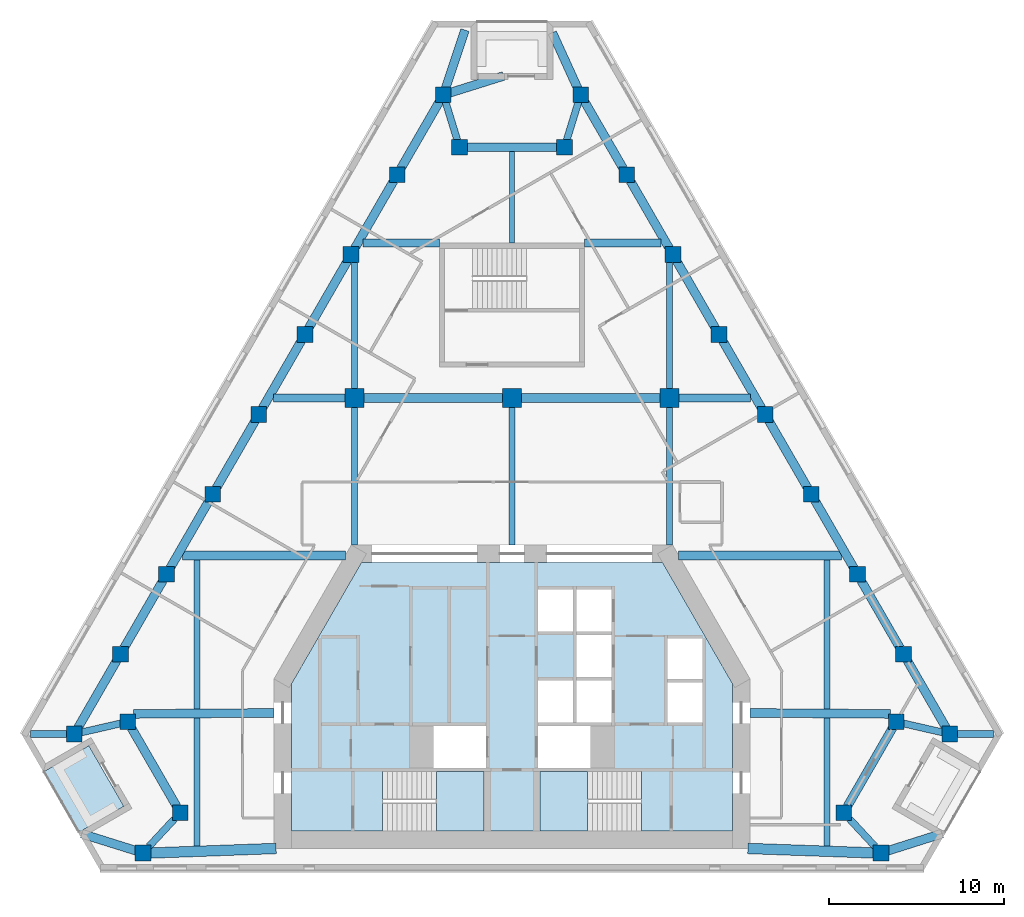
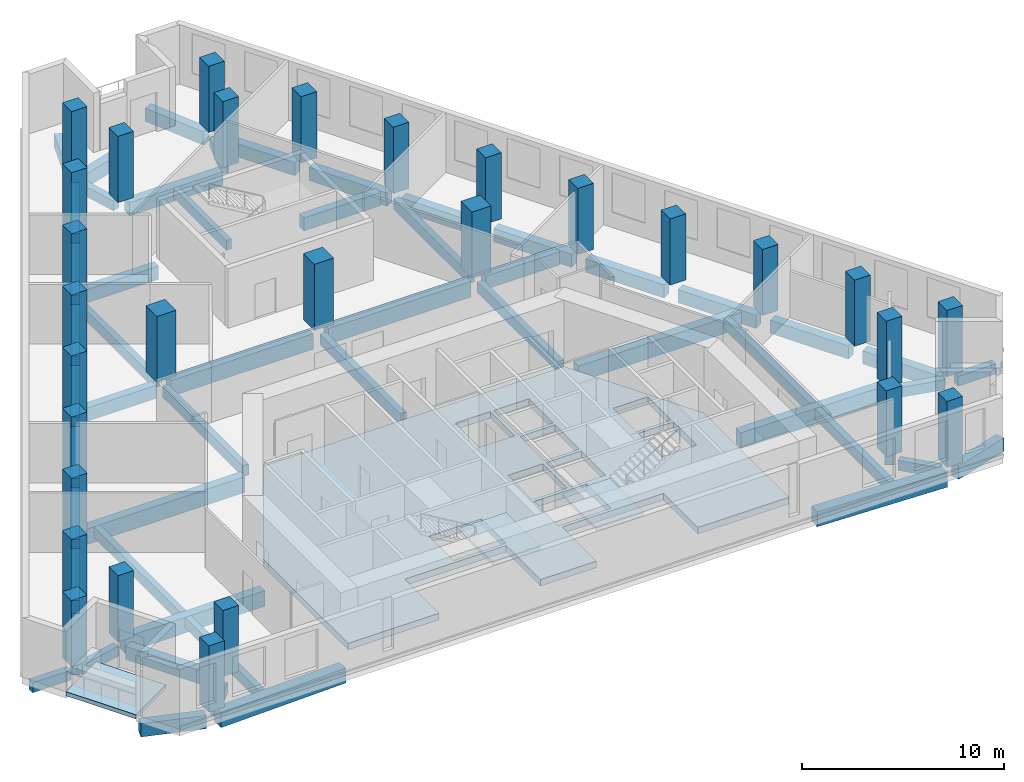
# One storey, part 1 of 9: 54 beams, 29 columns, 4 slabs, 2 elements without a shape of their own.
"""IFC4 building model written with IfcOpenShell, lengths in metres."""

from ifc_helpers import new_model, si_unit, direction, frame, origin, origin_2d, place, context, subcontext, project, spatial, polyline, rectangle, outline, extrude, material, layer, layer_set, material_profile, profile_set, type_object, element, aggregate, save


model = new_model("IFC4")

# Units and contexts
model_context = context("Model", 3, precision=1e-05, world=origin(), true_north=direction((0.0, 1.0)))
body_context = subcontext(model_context, "Body", "Model", "MODEL_VIEW")
ifc_project = project(units=[si_unit("LENGTHUNIT", "METRE"), si_unit("AREAUNIT", "SQUARE_METRE"), si_unit("VOLUMEUNIT", "CUBIC_METRE"), si_unit("PLANEANGLEUNIT", "RADIAN"), si_unit("MASSUNIT", "GRAM", prefix="KILO")], contexts=[model_context])

# Site, building, storey
site_placement = place(None, origin())
site = spatial("IfcSite", under=ifc_project, at=site_placement, CompositionType="ELEMENT")
building_placement = place(site_placement, origin())
building = spatial("IfcBuilding", under=site, at=building_placement, Name="Fogline Exchange Tower", CompositionType="ELEMENT")
storey_placement = place(building_placement, frame((0.0, 0.0, 186.10009765625)))
storey = spatial("IfcBuildingStorey", under=building, at=storey_placement, Name="L41", CompositionType="ELEMENT", Elevation=186.10009765625)

# Columns
ifc_material_1 = material(Name="Concrete C60", Category="concrete")
ifc_material_profile_1 = material_profile(ifc_material_1, rectangle(XDim=1.10009765625, YDim=1.10009765625, at=origin_2d()), Name="RC 1100x1100")
ifc_profile_set_1 = profile_set([ifc_material_profile_1], Name="Concrete C60")
column_type_1 = type_object("IfcColumnType", Name="C05", PredefinedType="COLUMN", material=ifc_profile_set_1)
for number, where, z_axis, x_axis, name in (
    (1, (-9.0, 27.0, 0.0), (0.0, 0.0, 1.0), (1.0, 0.0, 0.0), "IC--9-27"),
    (2, (0.0, 27.0, 0.0), (0.0, 0.0, 1.0), (1.0, 0.0, 0.0), "IC-0-27"),
    (3, (9.0, 27.0, 0.0), (0.0, 0.0, 1.0), (1.0, 0.0, 0.0), "IC-9-27"),
):
    element("IfcColumn", number, at=place(storey_placement, frame(where, z_axis=z_axis, x_axis=x_axis)), inside=storey, type_object=column_type_1, Name=name, PredefinedType="COLUMN", context=body_context, shape_type="SweptSolid", body=[
        extrude(rectangle(XDim=1.10009765625, YDim=1.10009765625, at=origin_2d()), origin(), (0.0, 0.0, 1.0), 4.0),
    ])
ifc_material_profile_2 = material_profile(ifc_material_1, rectangle(XDim=0.89990234375, YDim=0.89990234375, at=origin_2d()), Name="RC 900x900")
ifc_profile_set_2 = profile_set([ifc_material_profile_2], Name="Concrete C60")
column_type_2 = type_object("IfcColumnType", Name="C06", PredefinedType="COLUMN", material=ifc_profile_set_2)
for number, where, z_axis, x_axis, name in (
    (4, (-25.0146484375, 7.794189453125, 0.0), (0.0, 0.0, 1.0), (1.0, 0.0, 0.0), "SW-a"),
    (5, (-21.955322265625, 8.4951171875, 0.0), (0.0, 0.0, 1.0), (1.0, 0.0, 0.0), "SW-p4"),
    (6, (-18.955322265625, 3.299072265625, 0.0), (0.0, 0.0, 1.0), (1.0, 0.0, 0.0), "SW-p3"),
    (7, (-21.092041015625, 1.0, 0.0), (0.0, 0.0, 1.0), (1.0, 0.0, 0.0), "SW-b"),
    (8, (21.092041015625, 1.0, 0.0), (0.0, 0.0, 1.0), (1.0, 0.0, 0.0), "SE-a"),
    (9, (18.955322265625, 3.299072265625, 0.0), (0.0, 0.0, 1.0), (1.0, 0.0, 0.0), "SE-p4"),
    (10, (21.955322265625, 8.4951171875, 0.0), (0.0, 0.0, 1.0), (1.0, 0.0, 0.0), "SE-p3"),
    (11, (25.0146484375, 7.794189453125, 0.0), (0.0, 0.0, 1.0), (1.0, 0.0, 0.0), "SE-b"),
    (12, (22.378173828125, 12.36083984375, 0.0), (0.0, 0.0, 1.0), (1.0, 0.0, 0.0), "E1"),
    (13, (19.74169921875, 16.92724609375, 0.0), (0.0, 0.0, 1.0), (1.0, 0.0, 0.0), "E2"),
    (14, (17.105224609375, 21.493896484375, 0.0), (0.0, 0.0, 1.0), (1.0, 0.0, 0.0), "E3"),
    (15, (14.46875, 26.060302734375, 0.0), (0.0, 0.0, 1.0), (1.0, 0.0, 0.0), "E4"),
    (16, (11.832275390625, 30.626953125, 0.0), (0.0, 0.0, 1.0), (1.0, 0.0, 0.0), "E5"),
    (17, (9.19580078125, 35.193603515625, 0.0), (0.0, 0.0, 1.0), (1.0, 0.0, 0.0), "E6"),
    (18, (6.55908203125, 39.760009765625, 0.0), (0.0, 0.0, 1.0), (1.0, 0.0, 0.0), "E7"),
    (19, (3.922607421875, 44.32666015625, 0.0), (0.0, 0.0, 1.0), (1.0, 0.0, 0.0), "N-a"),
    (20, (3.0, 41.32666015625, 0.0), (0.0, 0.0, 1.0), (1.0, 0.0, 0.0), "N-p4"),
    (21, (-3.0, 41.32666015625, 0.0), (0.0, 0.0, 1.0), (1.0, 0.0, 0.0), "N-p3"),
    (22, (-3.922607421875, 44.32666015625, 0.0), (0.0, 0.0, 1.0), (1.0, 0.0, 0.0), "N-b"),
    (23, (-6.55908203125, 39.760009765625, 0.0), (0.0, 0.0, 1.0), (1.0, 0.0, 0.0), "W1"),
    (24, (-9.19580078125, 35.193603515625, 0.0), (0.0, 0.0, 1.0), (1.0, 0.0, 0.0), "W2"),
    (25, (-11.832275390625, 30.626953125, 0.0), (0.0, 0.0, 1.0), (1.0, 0.0, 0.0), "W3"),
    (26, (-14.46875, 26.060302734375, 0.0), (0.0, 0.0, 1.0), (1.0, 0.0, 0.0), "W4"),
    (27, (-17.105224609375, 21.493896484375, 0.0), (0.0, 0.0, 1.0), (1.0, 0.0, 0.0), "W5"),
    (28, (-19.74169921875, 16.92724609375, 0.0), (0.0, 0.0, 1.0), (1.0, 0.0, 0.0), "W6"),
    (29, (-22.378173828125, 12.36083984375, 0.0), (0.0, 0.0, 1.0), (1.0, 0.0, 0.0), "W7"),
):
    element("IfcColumn", number, at=place(storey_placement, frame(where, z_axis=z_axis, x_axis=x_axis)), inside=storey, type_object=column_type_2, Name=name, PredefinedType="COLUMN", context=body_context, shape_type="SweptSolid", body=[
        extrude(rectangle(XDim=0.89990234375, YDim=0.89990234375, at=origin_2d()), origin(), (0.0, 0.0, 1.0), 4.0),
    ])

# Beams
ifc_material_2 = material(Name="Concrete C40", Category="concrete")
ifc_material_profile_3 = material_profile(ifc_material_2, rectangle(XDim=0.300048828125, YDim=0.60009765625, at=origin_2d()), Name="RC 300x600")
ifc_profile_set_3 = profile_set([ifc_material_profile_3], Name="Concrete C40")
beam_type_1 = type_object("IfcBeamType", Name="B06", PredefinedType="BEAM", material=ifc_profile_set_3)
beam_1_placement = place(storey_placement, frame((0.0, 35.85693359375, -0.7001953125), z_axis=(0.0, 1.0, 0.0), x_axis=(-1.0, 0.0, 0.0)))
element("IfcBeam", 30, at=beam_1_placement, inside=storey, type_object=beam_type_1, Name="SB006", PredefinedType="BEAM", context=body_context, shape_type="SweptSolid", body=[
    extrude(rectangle(XDim=0.300048828125, YDim=0.60009765625, at=origin_2d()), origin(), (0.0, 0.0, 1.0), 5.2197265625),
])
ifc_material_profile_4 = material_profile(ifc_material_2, rectangle(XDim=0.60009765625, YDim=0.89990234375, at=origin_2d()), Name="RC 600x900")
ifc_profile_set_4 = profile_set([ifc_material_profile_4], Name="Concrete C40")
beam_type_2 = type_object("IfcBeamType", Name="B09", PredefinedType="BEAM", material=ifc_profile_set_4)
beam_2_placement = place(storey_placement, frame((-20.761962890625, 0.990234375, -0.85009765625), z_axis=(0.999342679757, 0.036252012589, 0.0), x_axis=(-0.036252012589, 0.999342679757, 0.0)))
element("IfcBeam", 31, at=beam_2_placement, inside=storey, type_object=beam_type_2, Name="RB004", PredefinedType="BEAM", context=body_context, shape_type="SweptSolid", body=[
    extrude(rectangle(XDim=0.60009765625, YDim=0.89990234375, at=origin_2d()), origin(), (0.0, 0.0, 1.0), 7.286865234375),
])
beam_3_placement = place(storey_placement, frame((13.47998046875, 1.25439453125, -0.85009765625), z_axis=(0.999369113188, -0.035515850068, 0.0), x_axis=(0.035515850068, 0.999369113188, 0.0)))
element("IfcBeam", 32, at=beam_3_placement, inside=storey, type_object=beam_type_2, Name="RB005", PredefinedType="BEAM", context=body_context, shape_type="SweptSolid", body=[
    extrude(rectangle(XDim=0.60009765625, YDim=0.89990234375, at=origin_2d()), origin(), (0.0, 0.0, 1.0), 7.28662109375),
])
ifc_material_profile_5 = material_profile(ifc_material_2, rectangle(XDim=0.5, YDim=0.800048828125, at=origin_2d()), Name="RC 500x800")
ifc_profile_set_5 = profile_set([ifc_material_profile_5], Name="Concrete C40")
beam_type_3 = type_object("IfcBeamType", Name="B10", PredefinedType="BEAM", material=ifc_profile_set_5)
for number, where, z_axis, x_axis, name in (
    (33, (-21.75537109375, 8.149169921875, -0.800048828125), (0.499981160238, -0.866036280653, 0.0), (0.866036280653, 0.499981160238, 0.0), "RB002"),
    (34, (19.155029296875, 3.64501953125, -0.800048828125), (0.499981160238, 0.866036280653, 0.0), (-0.866036280653, 0.499981160238, 0.0), "RB007"),
):
    element("IfcBeam", number, at=place(storey_placement, frame(where, z_axis=z_axis, x_axis=x_axis)), inside=storey, type_object=beam_type_3, Name=name, PredefinedType="BEAM", context=body_context, shape_type="SweptSolid", body=[
        extrude(rectangle(XDim=0.5, YDim=0.800048828125, at=origin_2d()), origin(), (0.0, 0.0, 1.0), 5.200927734375),
    ])
beam_4_placement = place(storey_placement, frame((24.814697265625, 8.140380859375, -0.800048828125), z_axis=(-0.500001169707, 0.866024728453, 0.0), x_axis=(-0.866024728453, -0.500001169707, 0.0)))
element("IfcBeam", 35, at=beam_4_placement, inside=storey, type_object=beam_type_3, Name="RB009", PredefinedType="BEAM", context=body_context, shape_type="SweptSolid", body=[
    extrude(rectangle(XDim=0.5, YDim=0.800048828125, at=origin_2d()), origin(), (0.0, 0.0, 1.0), 4.4736328125),
])
beam_5_placement = place(storey_placement, frame((22.17822265625, 12.706787109375, -0.800048828125), z_axis=(-0.499977539641, 0.866038370891, 0.0), x_axis=(-0.866038370891, -0.499977539641, 0.0)))
element("IfcBeam", 36, at=beam_5_placement, inside=storey, type_object=beam_type_3, Name="RB010", PredefinedType="BEAM", context=body_context, shape_type="SweptSolid", body=[
    extrude(rectangle(XDim=0.5, YDim=0.800048828125, at=origin_2d()), origin(), (0.0, 0.0, 1.0), 4.473876953125),
])
for number, where, z_axis, x_axis, name in (
    (37, (19.541748046875, 17.2734375, -0.800048828125), (-0.500001169707, 0.866024728453, 0.0), (-0.866024728453, -0.500001169707, 0.0), "RB011"),
    (38, (16.9052734375, 21.840087890625, -0.800048828125), (-0.500001169707, 0.866024728453, 0.0), (-0.866024728453, -0.500001169707, 0.0), "RB012"),
):
    element("IfcBeam", number, at=place(storey_placement, frame(where, z_axis=z_axis, x_axis=x_axis)), inside=storey, type_object=beam_type_3, Name=name, PredefinedType="BEAM", context=body_context, shape_type="SweptSolid", body=[
        extrude(rectangle(XDim=0.5, YDim=0.800048828125, at=origin_2d()), origin(), (0.0, 0.0, 1.0), 4.4736328125),
    ])
beam_6_placement = place(storey_placement, frame((14.268798828125, 26.406494140625, -0.800048828125), z_axis=(-0.499977539641, 0.866038370891, 0.0), x_axis=(-0.866038370891, -0.499977539641, 0.0)))
element("IfcBeam", 39, at=beam_6_placement, inside=storey, type_object=beam_type_3, Name="RB013", PredefinedType="BEAM", context=body_context, shape_type="SweptSolid", body=[
    extrude(rectangle(XDim=0.5, YDim=0.800048828125, at=origin_2d()), origin(), (0.0, 0.0, 1.0), 4.473876953125),
])
beam_7_placement = place(storey_placement, frame((11.63232421875, 30.97314453125, -0.800048828125), z_axis=(-0.500001169707, 0.866024728453, 0.0), x_axis=(-0.866024728453, -0.500001169707, 0.0)))
element("IfcBeam", 40, at=beam_7_placement, inside=storey, type_object=beam_type_3, Name="RB014", PredefinedType="BEAM", context=body_context, shape_type="SweptSolid", body=[
    extrude(rectangle(XDim=0.5, YDim=0.800048828125, at=origin_2d()), origin(), (0.0, 0.0, 1.0), 4.4736328125),
])
for number, where, z_axis, x_axis, name in (
    (41, (8.995849609375, 35.53955078125, -0.800048828125), (-0.499977539641, 0.866038370891, 0.0), (-0.866038370891, -0.499977539641, 0.0), "RB015"),
    (42, (6.359375, 40.106201171875, -0.800048828125), (-0.499977539641, 0.866038370891, 0.0), (-0.866038370891, -0.499977539641, 0.0), "RB016"),
):
    element("IfcBeam", number, at=place(storey_placement, frame(where, z_axis=z_axis, x_axis=x_axis)), inside=storey, type_object=beam_type_3, Name=name, PredefinedType="BEAM", context=body_context, shape_type="SweptSolid", body=[
        extrude(rectangle(XDim=0.5, YDim=0.800048828125, at=origin_2d()), origin(), (0.0, 0.0, 1.0), 4.473876953125),
    ])
beam_8_placement = place(storey_placement, frame((2.669921875, 41.32666015625, -0.800048828125), z_axis=(-1.0, 0.0, 0.0), x_axis=(0.0, -1.0, 0.0)))
element("IfcBeam", 43, at=beam_8_placement, inside=storey, type_object=beam_type_3, Name="RB018", PredefinedType="BEAM", context=body_context, shape_type="SweptSolid", body=[
    extrude(rectangle(XDim=0.5, YDim=0.800048828125, at=origin_2d()), origin(), (0.0, 0.0, 1.0), 5.33984375),
])
for number, where, z_axis, x_axis, name in (
    (44, (-4.12255859375, 43.980712890625, -0.800048828125), (-0.499977539641, -0.866038370891, 0.0), (0.866038370891, -0.499977539641, 0.0), "RB020"),
    (45, (-6.759033203125, 39.4140625, -0.800048828125), (-0.499977539641, -0.866038370891, 0.0), (0.866038370891, -0.499977539641, 0.0), "RB021"),
):
    element("IfcBeam", number, at=place(storey_placement, frame(where, z_axis=z_axis, x_axis=x_axis)), inside=storey, type_object=beam_type_3, Name=name, PredefinedType="BEAM", context=body_context, shape_type="SweptSolid", body=[
        extrude(rectangle(XDim=0.5, YDim=0.800048828125, at=origin_2d()), origin(), (0.0, 0.0, 1.0), 4.473876953125),
    ])
beam_9_placement = place(storey_placement, frame((-9.3955078125, 34.847412109375, -0.800048828125), z_axis=(-0.500001169707, -0.866024728453, 0.0), x_axis=(0.866024728453, -0.500001169707, 0.0)))
element("IfcBeam", 46, at=beam_9_placement, inside=storey, type_object=beam_type_3, Name="RB022", PredefinedType="BEAM", context=body_context, shape_type="SweptSolid", body=[
    extrude(rectangle(XDim=0.5, YDim=0.800048828125, at=origin_2d()), origin(), (0.0, 0.0, 1.0), 4.4736328125),
])
beam_10_placement = place(storey_placement, frame((-12.031982421875, 30.281005859375, -0.800048828125), z_axis=(-0.499977539641, -0.866038370891, 0.0), x_axis=(0.866038370891, -0.499977539641, 0.0)))
element("IfcBeam", 47, at=beam_10_placement, inside=storey, type_object=beam_type_3, Name="RB023", PredefinedType="BEAM", context=body_context, shape_type="SweptSolid", body=[
    extrude(rectangle(XDim=0.5, YDim=0.800048828125, at=origin_2d()), origin(), (0.0, 0.0, 1.0), 4.473876953125),
])
for number, where, z_axis, x_axis, name in (
    (48, (-14.66845703125, 25.71435546875, -0.800048828125), (-0.500001169707, -0.866024728453, 0.0), (0.866024728453, -0.500001169707, 0.0), "RB024"),
    (49, (-17.304931640625, 21.147705078125, -0.800048828125), (-0.500001169707, -0.866024728453, 0.0), (0.866024728453, -0.500001169707, 0.0), "RB025"),
):
    element("IfcBeam", number, at=place(storey_placement, frame(where, z_axis=z_axis, x_axis=x_axis)), inside=storey, type_object=beam_type_3, Name=name, PredefinedType="BEAM", context=body_context, shape_type="SweptSolid", body=[
        extrude(rectangle(XDim=0.5, YDim=0.800048828125, at=origin_2d()), origin(), (0.0, 0.0, 1.0), 4.4736328125),
    ])
beam_11_placement = place(storey_placement, frame((-19.94140625, 16.581298828125, -0.800048828125), z_axis=(-0.499977539641, -0.866038370891, 0.0), x_axis=(0.866038370891, -0.499977539641, 0.0)))
element("IfcBeam", 50, at=beam_11_placement, inside=storey, type_object=beam_type_3, Name="RB026", PredefinedType="BEAM", context=body_context, shape_type="SweptSolid", body=[
    extrude(rectangle(XDim=0.5, YDim=0.800048828125, at=origin_2d()), origin(), (0.0, 0.0, 1.0), 4.473876953125),
])
beam_12_placement = place(storey_placement, frame((-22.577880859375, 12.0146484375, -0.800048828125), z_axis=(-0.500001169707, -0.866024728453, 0.0), x_axis=(0.866024728453, -0.500001169707, 0.0)))
element("IfcBeam", 51, at=beam_12_placement, inside=storey, type_object=beam_type_3, Name="RB027", PredefinedType="BEAM", context=body_context, shape_type="SweptSolid", body=[
    extrude(rectangle(XDim=0.5, YDim=0.800048828125, at=origin_2d()), origin(), (0.0, 0.0, 1.0), 4.4736328125),
])
beam_13_placement = place(storey_placement, frame((3.767578125, 44.66748046875, -0.800048828125), z_axis=(-0.41445501152, 0.910069801403, 0.0), x_axis=(-0.910069801403, -0.41445501152, 0.0)))
element("IfcBeam", 52, at=beam_13_placement, inside=storey, type_object=beam_type_3, Name="SP028", PredefinedType="BEAM", context=body_context, shape_type="SweptSolid", body=[
    extrude(rectangle(XDim=0.5, YDim=0.800048828125, at=origin_2d()), origin(), (0.0, 0.0, 1.0), 3.525634765625),
])
beam_14_placement = place(storey_placement, frame((-3.810546875, 44.662841796875, -0.800048828125), z_axis=(0.316475647373, 0.948600634946, 0.0), x_axis=(-0.948600634946, 0.316475647373, 0.0)))
element("IfcBeam", 53, at=beam_14_placement, inside=storey, type_object=beam_type_3, Name="SP029", PredefinedType="BEAM", context=body_context, shape_type="SweptSolid", body=[
    extrude(rectangle(XDim=0.5, YDim=0.800048828125, at=origin_2d()), origin(), (0.0, 0.0, 1.0), 3.54541015625),
])
beam_15_placement = place(storey_placement, frame((21.427490234375, 1.106201171875, -0.800048828125), z_axis=(0.9534363812, 0.301594209169, 0.0), x_axis=(-0.301594209169, 0.9534363812, 0.0)))
element("IfcBeam", 54, at=beam_15_placement, inside=storey, type_object=beam_type_3, Name="SP030", PredefinedType="BEAM", context=body_context, shape_type="SweptSolid", body=[
    extrude(rectangle(XDim=0.5, YDim=0.800048828125, at=origin_2d()), origin(), (0.0, 0.0, 1.0), 3.306884765625),
])
beam_16_placement = place(storey_placement, frame((-21.427490234375, 1.10498046875, -0.800048828125), z_axis=(-0.954241264911, 0.299037804202, 0.0), x_axis=(-0.299037804202, -0.954241264911, 0.0)))
element("IfcBeam", 55, at=beam_16_placement, inside=storey, type_object=beam_type_3, Name="SP031", PredefinedType="BEAM", context=body_context, shape_type="SweptSolid", body=[
    extrude(rectangle(XDim=0.5, YDim=0.800048828125, at=origin_2d()), origin(), (0.0, 0.0, 1.0), 3.31640625),
])
beam_17_placement = place(storey_placement, frame((-3.587158203125, 44.431640625, -0.800048828125), z_axis=(0.954371666349, 0.298621369749, 0.0), x_axis=(-0.298621369749, 0.954371666349, 0.0)))
element("IfcBeam", 56, at=beam_17_placement, inside=storey, type_object=beam_type_3, Name="SP034", PredefinedType="BEAM", context=body_context, shape_type="SweptSolid", body=[
    extrude(rectangle(XDim=0.5, YDim=0.800048828125, at=origin_2d()), origin(), (0.0, 0.0, 1.0), 3.250732421875),
])
ifc_material_profile_6 = material_profile(ifc_material_2, rectangle(XDim=0.39990234375, YDim=0.60009765625, at=origin_2d()), Name="RC 400x600")
ifc_profile_set_6 = profile_set([ifc_material_profile_6], Name="Concrete C40")
beam_type_4 = type_object("IfcBeamType", Name="B11", PredefinedType="BEAM", material=ifc_profile_set_6)
beam_18_placement = place(storey_placement, frame((-24.681640625, 7.87060546875, -0.7001953125), z_axis=(0.974743593216, 0.22332695199, 0.0), x_axis=(-0.22332695199, 0.974743593216, 0.0)))
element("IfcBeam", 57, at=beam_18_placement, inside=storey, type_object=beam_type_4, Name="RB001", PredefinedType="BEAM", context=body_context, shape_type="SweptSolid", body=[
    extrude(rectangle(XDim=0.39990234375, YDim=0.60009765625, at=origin_2d()), origin(), (0.0, 0.0, 1.0), 2.455322265625),
])
for number, where, z_axis, x_axis, name in (
    (58, (-19.291748046875, 2.93701171875, -0.7001953125), (-0.680803781492, -0.732465842962, 0.0), (0.732465842962, -0.680803781492, 0.0), "RB003"),
    (59, (20.755615234375, 1.362060546875, -0.7001953125), (-0.680803781492, 0.732465842962, 0.0), (-0.732465842962, -0.680803781492, 0.0), "RB006"),
):
    element("IfcBeam", number, at=place(storey_placement, frame(where, z_axis=z_axis, x_axis=x_axis)), inside=storey, type_object=beam_type_4, Name=name, PredefinedType="BEAM", context=body_context, shape_type="SweptSolid", body=[
        extrude(rectangle(XDim=0.39990234375, YDim=0.60009765625, at=origin_2d()), origin(), (0.0, 0.0, 1.0), 2.150146484375),
    ])
beam_19_placement = place(storey_placement, frame((22.288330078125, 8.4189453125, -0.7001953125), z_axis=(0.974743593216, -0.22332695199, 0.0), x_axis=(0.22332695199, 0.974743593216, 0.0)))
element("IfcBeam", 60, at=beam_19_placement, inside=storey, type_object=beam_type_4, Name="RB008", PredefinedType="BEAM", context=body_context, shape_type="SweptSolid", body=[
    extrude(rectangle(XDim=0.39990234375, YDim=0.60009765625, at=origin_2d()), origin(), (0.0, 0.0, 1.0), 2.455322265625),
])
for number, where, z_axis, x_axis, name in (
    (61, (3.819580078125, 43.991455078125, -0.7001953125), (-0.294022492362, -0.955798500724, 0.0), (0.955798500724, -0.294022492362, 0.0), "RB017"),
    (62, (-3.10302734375, 41.662109375, -0.7001953125), (-0.294022492362, 0.955798500724, 0.0), (-0.955798500724, -0.294022492362, 0.0), "RB019"),
):
    element("IfcBeam", number, at=place(storey_placement, frame(where, z_axis=z_axis, x_axis=x_axis)), inside=storey, type_object=beam_type_4, Name=name, PredefinedType="BEAM", context=body_context, shape_type="SweptSolid", body=[
        extrude(rectangle(XDim=0.39990234375, YDim=0.60009765625, at=origin_2d()), origin(), (0.0, 0.0, 1.0), 2.43701171875),
    ])
beam_20_placement = place(storey_placement, frame((-25.3447265625, 7.794189453125, -0.7001953125), z_axis=(-1.0, 0.0, 0.0), x_axis=(0.0, -1.0, 0.0)))
element("IfcBeam", 63, at=beam_20_placement, inside=storey, type_object=beam_type_4, Name="SP032", PredefinedType="BEAM", context=body_context, shape_type="SweptSolid", body=[
    extrude(rectangle(XDim=0.39990234375, YDim=0.60009765625, at=origin_2d()), origin(), (0.0, 0.0, 1.0), 2.1865234375),
])
beam_21_placement = place(storey_placement, frame((25.3447265625, 7.795654296875, -0.7001953125), z_axis=(0.999990452788, 0.00436970618, 0.0), x_axis=(-0.00436970618, 0.999990452788, 0.0)))
element("IfcBeam", 64, at=beam_21_placement, inside=storey, type_object=beam_type_4, Name="SP033", PredefinedType="BEAM", context=body_context, shape_type="SweptSolid", body=[
    extrude(rectangle(XDim=0.39990234375, YDim=0.60009765625, at=origin_2d()), origin(), (0.0, 0.0, 1.0), 2.178955078125),
])
ifc_material_profile_7 = material_profile(ifc_material_2, rectangle(XDim=0.5, YDim=0.949951171875, at=origin_2d()), Name="RC 500x950")
ifc_profile_set_7 = profile_set([ifc_material_profile_7], Name="Concrete C40")
beam_type_5 = type_object("IfcBeamType", Name="B14", PredefinedType="BEAM", material=ifc_profile_set_7)
for number, where, z_axis, x_axis, name in (
    (65, (-21.625244140625, 8.9443359375, -0.875), (0.999975945397, 0.006936038318, 0.0), (-0.006936038318, 0.999975945397, 0.0), "GB001"),
    (66, (13.60009765625, 9.0, -0.875), (0.999975945397, -0.006936038318, 0.0), (0.006936038318, 0.999975945397, 0.0), "GB002"),
):
    element("IfcBeam", number, at=place(storey_placement, frame(where, z_axis=z_axis, x_axis=x_axis)), inside=storey, type_object=beam_type_5, Name=name, PredefinedType="BEAM", context=body_context, shape_type="SweptSolid", body=[
        extrude(rectangle(XDim=0.5, YDim=0.949951171875, at=origin_2d()), origin(), (0.0, 0.0, 1.0), 8.025390625),
    ])
for number, where, z_axis, x_axis, name in (
    (67, (-18.833740234375, 18.0, -0.875), (1.0, 0.0, 0.0), (0.0, 1.0, 0.0), "GB003"),
    (68, (9.527099609375, 18.0, -0.875), (1.0, 0.0, 0.0), (0.0, 1.0, 0.0), "GB004"),
):
    element("IfcBeam", number, at=place(storey_placement, frame(where, z_axis=z_axis, x_axis=x_axis)), inside=storey, type_object=beam_type_5, Name=name, PredefinedType="BEAM", context=body_context, shape_type="SweptSolid", body=[
        extrude(rectangle(XDim=0.5, YDim=0.949951171875, at=origin_2d()), origin(), (0.0, 0.0, 1.0), 9.306640625),
    ])
for number, where, z_axis, x_axis, name in (
    (69, (-8.570068359375, 27.0, -0.875), (1.0, 0.0, 0.0), (0.0, 1.0, 0.0), "GB006"),
    (70, (0.429931640625, 27.0, -0.875), (1.0, 0.0, 0.0), (0.0, 1.0, 0.0), "GB007"),
):
    element("IfcBeam", number, at=place(storey_placement, frame(where, z_axis=z_axis, x_axis=x_axis)), inside=storey, type_object=beam_type_5, Name=name, PredefinedType="BEAM", context=body_context, shape_type="SweptSolid", body=[
        extrude(rectangle(XDim=0.5, YDim=0.949951171875, at=origin_2d()), origin(), (0.0, 0.0, 1.0), 8.14013671875),
    ])
ifc_material_profile_8 = material_profile(ifc_material_2, rectangle(XDim=0.35009765625, YDim=0.64990234375, at=origin_2d()), Name="RC 350x650")
ifc_profile_set_8 = profile_set([ifc_material_profile_8], Name="Concrete C40")
beam_type_6 = type_object("IfcBeamType", Name="B16", PredefinedType="BEAM", material=ifc_profile_set_8)
beam_22_placement = place(storey_placement, frame((-18.0, 1.390625, -0.72509765625), z_axis=(0.0, 1.0, 0.0), x_axis=(-1.0, 0.0, 0.0)))
element("IfcBeam", 71, at=beam_22_placement, inside=storey, type_object=beam_type_6, Name="SB001", PredefinedType="BEAM", context=body_context, shape_type="SweptSolid", body=[
    extrude(rectangle(XDim=0.35009765625, YDim=0.64990234375, at=origin_2d()), origin(), (0.0, 0.0, 1.0), 7.328857421875),
])
beam_23_placement = place(storey_placement, frame((-18.0, 9.219482421875, -0.72509765625), z_axis=(0.0, 1.0, 0.0), x_axis=(-1.0, 0.0, 0.0)))
element("IfcBeam", 72, at=beam_23_placement, inside=storey, type_object=beam_type_6, Name="SB002", PredefinedType="BEAM", context=body_context, shape_type="SweptSolid", body=[
    extrude(rectangle(XDim=0.35009765625, YDim=0.64990234375, at=origin_2d()), origin(), (0.0, 0.0, 1.0), 8.530517578125),
])
beam_24_placement = place(storey_placement, frame((-9.0, 18.60009765625, -0.72509765625), z_axis=(0.0, 1.0, 0.0), x_axis=(-1.0, 0.0, 0.0)))
element("IfcBeam", 73, at=beam_24_placement, inside=storey, type_object=beam_type_6, Name="SB003", PredefinedType="BEAM", context=body_context, shape_type="SweptSolid", body=[
    extrude(rectangle(XDim=0.35009765625, YDim=0.64990234375, at=origin_2d()), origin(), (0.0, 0.0, 1.0), 7.969970703125),
])
beam_25_placement = place(storey_placement, frame((-9.0, 27.429931640625, -0.72509765625), z_axis=(0.0, 1.0, 0.0), x_axis=(-1.0, 0.0, 0.0)))
element("IfcBeam", 74, at=beam_25_placement, inside=storey, type_object=beam_type_6, Name="SB004", PredefinedType="BEAM", context=body_context, shape_type="SweptSolid", body=[
    extrude(rectangle(XDim=0.35009765625, YDim=0.64990234375, at=origin_2d()), origin(), (0.0, 0.0, 1.0), 7.43359375),
])
for number, where, z_axis, x_axis, name in (
    (75, (0.0, 18.60009765625, -0.72509765625), (0.0, 1.0, 0.0), (-1.0, 0.0, 0.0), "SB005"),
    (76, (9.0, 18.60009765625, -0.72509765625), (0.0, 1.0, 0.0), (-1.0, 0.0, 0.0), "SB007"),
):
    element("IfcBeam", number, at=place(storey_placement, frame(where, z_axis=z_axis, x_axis=x_axis)), inside=storey, type_object=beam_type_6, Name=name, PredefinedType="BEAM", context=body_context, shape_type="SweptSolid", body=[
        extrude(rectangle(XDim=0.35009765625, YDim=0.64990234375, at=origin_2d()), origin(), (0.0, 0.0, 1.0), 7.969970703125),
    ])
beam_26_placement = place(storey_placement, frame((9.0, 27.429931640625, -0.72509765625), z_axis=(0.0, 1.0, 0.0), x_axis=(-1.0, 0.0, 0.0)))
element("IfcBeam", 77, at=beam_26_placement, inside=storey, type_object=beam_type_6, Name="SB008", PredefinedType="BEAM", context=body_context, shape_type="SweptSolid", body=[
    extrude(rectangle(XDim=0.35009765625, YDim=0.64990234375, at=origin_2d()), origin(), (0.0, 0.0, 1.0), 7.43359375),
])
beam_27_placement = place(storey_placement, frame((18.0, 1.39404296875, -0.72509765625), z_axis=(0.0, 1.0, 0.0), x_axis=(-1.0, 0.0, 0.0)))
element("IfcBeam", 78, at=beam_27_placement, inside=storey, type_object=beam_type_6, Name="SB009", PredefinedType="BEAM", context=body_context, shape_type="SweptSolid", body=[
    extrude(rectangle(XDim=0.35009765625, YDim=0.64990234375, at=origin_2d()), origin(), (0.0, 0.0, 1.0), 7.325439453125),
])
beam_28_placement = place(storey_placement, frame((18.0, 9.219482421875, -0.72509765625), z_axis=(0.0, 1.0, 0.0), x_axis=(-1.0, 0.0, 0.0)))
element("IfcBeam", 79, at=beam_28_placement, inside=storey, type_object=beam_type_6, Name="SB010", PredefinedType="BEAM", context=body_context, shape_type="SweptSolid", body=[
    extrude(rectangle(XDim=0.35009765625, YDim=0.64990234375, at=origin_2d()), origin(), (0.0, 0.0, 1.0), 8.530517578125),
])
ifc_material_profile_9 = material_profile(ifc_material_2, rectangle(XDim=0.449951171875, YDim=0.800048828125, at=origin_2d()), Name="RC 450x800")
ifc_profile_set_9 = profile_set([ifc_material_profile_9], Name="Concrete C40")
beam_type_7 = type_object("IfcBeamType", Name="B18", PredefinedType="BEAM", material=ifc_profile_set_9)
for number, where, z_axis, x_axis, name in (
    (80, (-13.637451171875, 27.0, -0.800048828125), (1.0, 0.0, 0.0), (0.0, 1.0, 0.0), "GB005"),
    (81, (9.429931640625, 27.0, -0.800048828125), (1.0, 0.0, 0.0), (0.0, 1.0, 0.0), "GB008"),
):
    element("IfcBeam", number, at=place(storey_placement, frame(where, z_axis=z_axis, x_axis=x_axis)), inside=storey, type_object=beam_type_7, Name=name, PredefinedType="BEAM", context=body_context, shape_type="SweptSolid", body=[
        extrude(rectangle(XDim=0.449951171875, YDim=0.800048828125, at=origin_2d()), origin(), (0.0, 0.0, 1.0), 4.20751953125),
    ])
for number, where, z_axis, x_axis, name in (
    (82, (-8.52392578125, 35.85693359375, -0.800048828125), (1.0, 0.0, 0.0), (0.0, 1.0, 0.0), "GB009"),
    (83, (4.14990234375, 35.85693359375, -0.800048828125), (1.0, 0.0, 0.0), (0.0, 1.0, 0.0), "GB010"),
):
    element("IfcBeam", number, at=place(storey_placement, frame(where, z_axis=z_axis, x_axis=x_axis)), inside=storey, type_object=beam_type_7, Name=name, PredefinedType="BEAM", context=body_context, shape_type="SweptSolid", body=[
        extrude(rectangle(XDim=0.449951171875, YDim=0.800048828125, at=origin_2d()), origin(), (0.0, 0.0, 1.0), 4.3740234375),
    ])

# Slabs
ifc_layer_1 = layer(ifc_material_2, 0.25)
ifc_layer_set_1 = layer_set([ifc_layer_1], Name="DK1")
slab_type_1 = type_object("IfcSlabType", Name="DK1", PredefinedType="FLOOR", material=ifc_layer_set_1)
slab_1_placement = place(storey_placement, frame((0.0, 0.0, -0.25)))
element("IfcSlab", 84, at=slab_1_placement, inside=storey, type_object=slab_type_1, Name="Balcony L41 SW", PredefinedType="FLOOR", context=body_context, shape_type="SweptSolid", body=[
    extrude(outline(polyline([(-26.78125, 5.629150390625), (-24.78125, 2.1650390625), (-22.18310546875, 3.6650390625), (-24.18310546875, 7.129150390625), (-26.78125, 5.629150390625)])), origin(), (0.0, 0.0, 1.0), 0.25),
])
ifc_layer_2 = layer(ifc_material_2, 0.39990234375)
ifc_layer_set_2 = layer_set([ifc_layer_2], Name="S03")
slab_type_2 = type_object("IfcSlabType", Name="S03", PredefinedType="FLOOR", material=ifc_layer_set_2)
slab_2_placement = place(storey_placement, frame((0.0, 0.0, -0.400146484375)))
element("IfcSlab", 85, at=slab_2_placement, inside=storey, type_object=slab_type_2, Name="Core floor slab", PredefinedType="FLOOR", context=body_context, shape_type="SweptSolid", body=[
    extrude(outline(polyline([(-12.60009765625, 2.25), (-12.60009765625, 10.677490234375), (-8.603271484375, 17.60009765625), (8.603271484375, 17.60009765625), (12.60009765625, 10.677490234375), (12.60009765625, 2.25), (7.389892578125, 2.25), (7.389892578125, 5.64990234375), (1.60009765625, 5.64990234375), (1.60009765625, 2.25), (-1.60009765625, 2.25), (-1.60009765625, 5.64990234375), (-7.389892578125, 5.64990234375), (-7.389892578125, 2.25), (-12.60009765625, 2.25)]), holes=[polyline([(-4.5, 8.25), (-4.5, 5.85009765625), (-1.5, 5.85009765625), (-1.5, 8.25), (-4.5, 8.25)]), polyline([(4.5, 8.25), (1.5, 8.25), (1.5, 5.85009765625), (4.5, 5.85009765625), (4.5, 8.25)]), polyline([(3.5, 10.85009765625), (1.5, 10.85009765625), (1.5, 8.449951171875), (3.5, 8.449951171875), (3.5, 10.85009765625)]), polyline([(1.5, 16.050048828125), (1.5, 13.64990234375), (3.5, 13.64990234375), (3.5, 16.050048828125), (1.5, 16.050048828125)]), polyline([(10.89990234375, 10.75), (8.89990234375, 10.75), (8.89990234375, 8.449951171875), (10.89990234375, 8.449951171875), (10.89990234375, 10.75)]), polyline([(5.699951171875, 10.85009765625), (3.699951171875, 10.85009765625), (3.699951171875, 8.449951171875), (5.699951171875, 8.449951171875), (5.699951171875, 10.85009765625)]), polyline([(8.89990234375, 13.25), (8.89990234375, 10.949951171875), (10.89990234375, 10.949951171875), (10.89990234375, 13.25), (8.89990234375, 13.25)]), polyline([(5.699951171875, 13.449951171875), (3.699951171875, 13.449951171875), (3.699951171875, 11.050048828125), (5.699951171875, 11.050048828125), (5.699951171875, 13.449951171875)]), polyline([(5.699951171875, 16.050048828125), (3.699951171875, 16.050048828125), (3.699951171875, 13.64990234375), (5.699951171875, 13.64990234375), (5.699951171875, 16.050048828125)])]), origin(), (0.0, 0.0, 1.0), 0.400146484375),
])

# Stair, slab
stair_type = type_object("IfcStairType", Name="STR24-1667", PredefinedType="HALF_TURN_STAIR", material=ifc_material_2)
stair_1_placement = place(storey_placement, origin())
stair_1 = element("IfcStair", 86, at=stair_1_placement, inside=storey, type_object=stair_type, Name="Stair ST1", PredefinedType="HALF_TURN_STAIR")
ifc_layer_3 = layer(ifc_material_2, 0.199951171875)
ifc_layer_set_3 = layer_set([ifc_layer_3], Name="SL200")
slab_type_3 = type_object("IfcSlabType", Name="SL200", PredefinedType="LANDING", material=ifc_layer_set_3)
slab_3_placement = place(storey_placement, frame((0.0, 0.0, 1.7998046875)))
slab_3 = element("IfcSlab", 87, at=slab_3_placement, type_object=slab_type_3, Name="ST1 landing 1", PredefinedType="LANDING", context=body_context, shape_type="SweptSolid", body=[
    extrude(outline(polyline([(-4.320068359375, 2.25), (-1.60009765625, 2.25), (-1.60009765625, 5.64990234375), (-4.320068359375, 5.64990234375), (-4.320068359375, 2.25)])), origin(), (0.0, 0.0, 1.0), 0.2001953125),
])
aggregate(stair_1, [slab_3])

stair_2_placement = place(storey_placement, origin())
stair_2 = element("IfcStair", 88, at=stair_2_placement, inside=storey, type_object=stair_type, Name="Stair ST2", PredefinedType="HALF_TURN_STAIR")
slab_4_placement = place(storey_placement, frame((0.0, 0.0, 1.7998046875)))
slab_4 = element("IfcSlab", 89, at=slab_4_placement, type_object=slab_type_3, Name="ST2 landing 1", PredefinedType="LANDING", context=body_context, shape_type="SweptSolid", body=[
    extrude(outline(polyline([(1.60009765625, 2.25), (4.320068359375, 2.25), (4.320068359375, 5.64990234375), (1.60009765625, 5.64990234375), (1.60009765625, 2.25)])), origin(), (0.0, 0.0, 1.0), 0.2001953125),
])
aggregate(stair_2, [slab_4])

save(model, "model.ifc")
